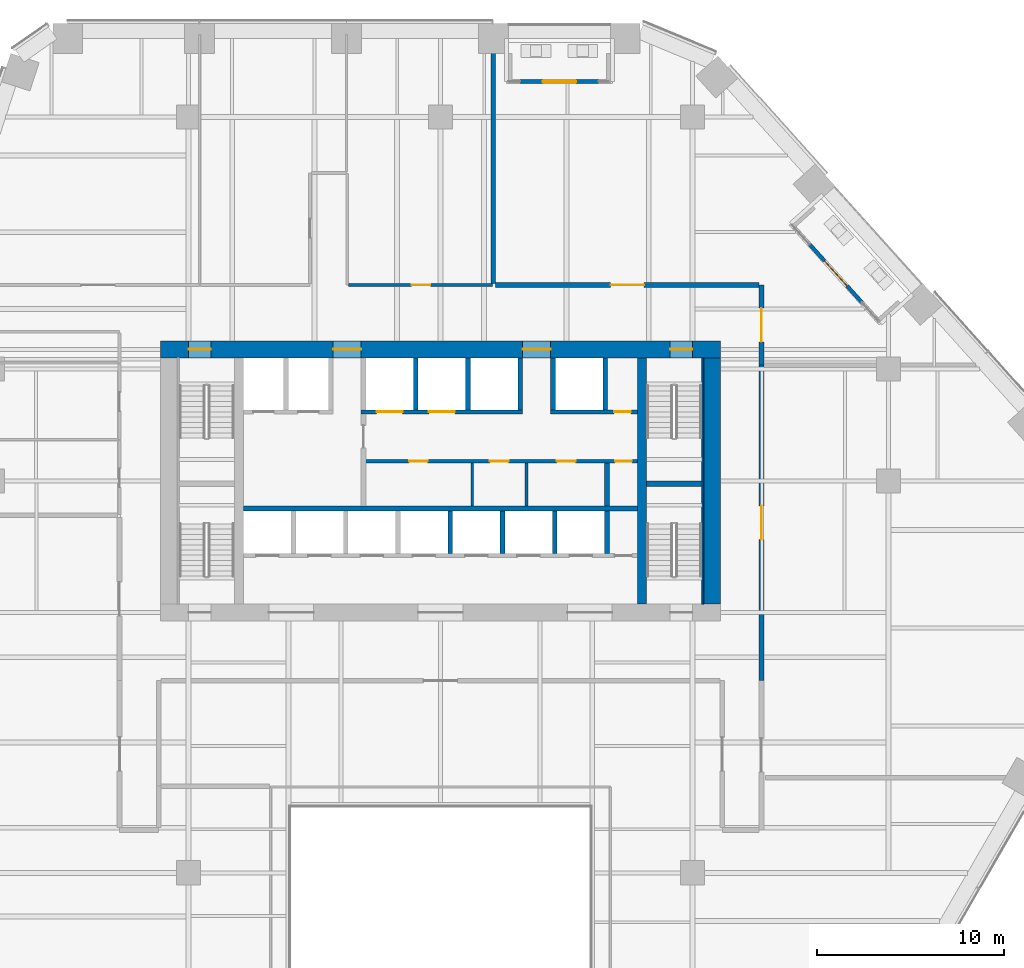
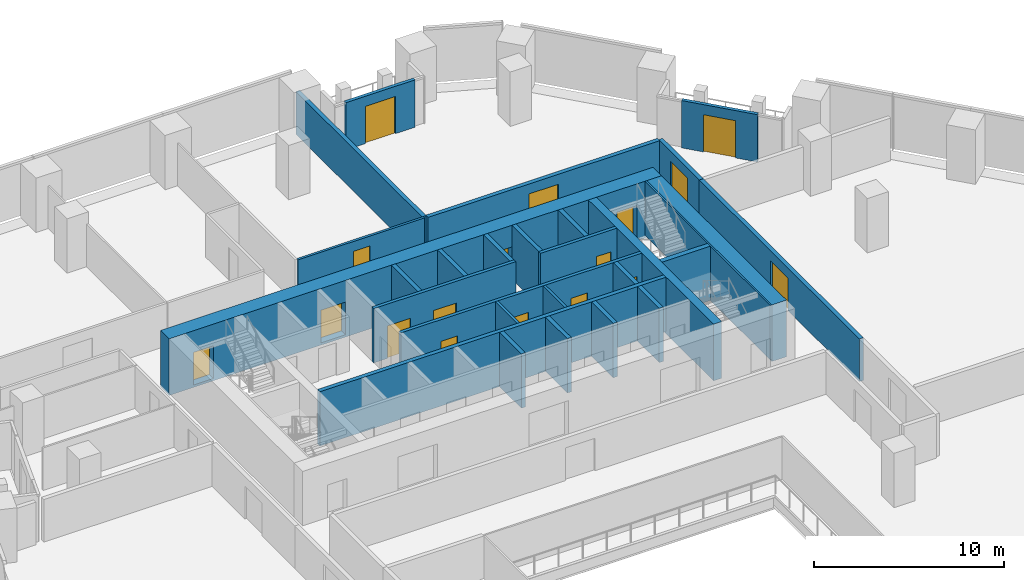
# One storey, part 22 of 28: 28 walls, 17 doors, 17 openings.
"""IFC4 building model written with IfcOpenShell, lengths in metres."""

from ifc_helpers import new_model, si_unit, direction, frame, frame_2d, origin, place, context, subcontext, project, spatial, rectangle, extrude, material, layer, layer_set, type_object, element, fill, save


model = new_model("IFC4")

# Units and contexts
model_context = context("Model", 3, precision=1e-05, world=origin(), true_north=direction((0.0, 1.0)))
body_context = subcontext(model_context, "Body", "Model", "MODEL_VIEW")
ifc_project = project(units=[si_unit("LENGTHUNIT", "METRE"), si_unit("AREAUNIT", "SQUARE_METRE"), si_unit("VOLUMEUNIT", "CUBIC_METRE"), si_unit("PLANEANGLEUNIT", "RADIAN"), si_unit("MASSUNIT", "GRAM", prefix="KILO")], contexts=[model_context])

# Site, building, storey
site_placement = place(None, origin())
site = spatial("IfcSite", under=ifc_project, at=site_placement, CompositionType="ELEMENT")
building_placement = place(site_placement, origin())
building = spatial("IfcBuilding", under=site, at=building_placement, Name="Isthmus Gate Tower", CompositionType="ELEMENT")
storey_placement = place(building_placement, frame((0.0, 0.0, 98.89990234375)))
storey = spatial("IfcBuildingStorey", under=building, at=storey_placement, Name="L23", CompositionType="ELEMENT", Elevation=98.89990234375)

# Wall, opening, door
ifc_material_1 = material(Name="Double-leaf acoustic stud wall, fire-rated", Category="gypsum")
ifc_layer_1 = layer(ifc_material_1, 0.25)
ifc_layer_set_1 = layer_set([ifc_layer_1], Name="ACOUSTIC WALL 250 60 MIN")
wall_type_1 = type_object("IfcWallType", Name="ACOUSTIC WALL 250 60 MIN", PredefinedType="PARTITIONING", material=ifc_layer_set_1)
wall_1_placement = place(storey_placement, frame((17.199951171875, 18.0, 0.0), z_axis=(0.0, 0.0, 1.0), x_axis=(0.0, -1.0, 0.0)))
wall_1 = element("IfcWall", 1, at=wall_1_placement, inside=storey, type_object=wall_type_1, Name="L23 Acoustic Wall 250 60 Min", PredefinedType="PARTITIONING", context=body_context, shape_type="SweptSolid", body=[
    extrude(rectangle(XDim=4.291015625, YDim=0.25, at=frame_2d((2.1455078125, 0.0))), origin(), (0.0, 0.0, 1.0), 2.7412109375),
])
opening_1_placement = place(wall_1_placement, frame((1.24560546875, 0.0, 0.0)))
opening_1 = element("IfcOpeningElement", 2, at=opening_1_placement, cuts=wall_1, Name="Opening DT-T2B-05", PredefinedType="OPENING", context=body_context, shape_type="SweptSolid", body=[
    extrude(rectangle(XDim=1.800048828125, YDim=2.10009765625, at=frame_2d((0.89990234375, 1.050048828125))), frame((0.0, 0.135009765625, 0.0), z_axis=(0.0, -1.0, 0.0), x_axis=(1.0, 0.0, 0.0)), (0.0, 0.0, 1.0), 0.27001953125),
])
ifc_material_2 = material(Name="Solid core timber door leaf, fire-rated", Category="wood")
door_type_1 = type_object("IfcDoorType", Name="FIRE DOOR ACOUSTIC ROOM 1800 X 2100 60 MIN", OperationType="DOUBLE_DOOR_DOUBLE_SWING", PredefinedType="DOOR", material=ifc_material_2)
door_1_placement = place(opening_1_placement, origin())
door_1 = element("IfcDoor", 3, at=door_1_placement, inside=storey, type_object=door_type_1, Name="L23 room door", OperationType="DOUBLE_DOOR_DOUBLE_SWING", OverallHeight=2.10009765625, OverallWidth=1.800048828125, PredefinedType="DOOR", context=body_context, shape_type="SweptSolid", body=[
    extrude(rectangle(XDim=1.800048828125, YDim=2.10009765625, at=frame_2d((0.89990234375, 1.050048828125))), frame((0.0, 0.02490234375, 0.0), z_axis=(0.0, -1.0, 0.0), x_axis=(1.0, 0.0, 0.0)), (0.0, 0.0, 1.0), 0.050048828125),
])
fill(opening_1, door_1)

wall_2_placement = place(storey_placement, frame((17.199951171875, 13.708984375, 0.0), z_axis=(0.0, 0.0, 1.0), x_axis=(0.0, -1.0, 0.0)))
wall_2 = element("IfcWall", 4, at=wall_2_placement, inside=storey, type_object=wall_type_1, Name="L23 Acoustic Wall 250 60 Min", PredefinedType="PARTITIONING", context=body_context, shape_type="SweptSolid", body=[
    extrude(rectangle(XDim=16.89697265625, YDim=0.25, at=frame_2d((8.448486328125, 0.0))), origin(), (0.0, 0.0, 1.0), 2.7412109375),
])
opening_2_placement = place(wall_2_placement, frame((7.548583984375, 0.0, 0.0)))
opening_2 = element("IfcOpeningElement", 5, at=opening_2_placement, cuts=wall_2, Name="Opening DT-T2B-08", PredefinedType="OPENING", context=body_context, shape_type="SweptSolid", body=[
    extrude(rectangle(XDim=1.800048828125, YDim=2.10009765625, at=frame_2d((0.89990234375, 1.050048828125))), frame((0.0, 0.135009765625, 0.0), z_axis=(0.0, -1.0, 0.0), x_axis=(1.0, 0.0, 0.0)), (0.0, 0.0, 1.0), 0.27001953125),
])
door_2_placement = place(opening_2_placement, origin())
door_2 = element("IfcDoor", 6, at=door_2_placement, inside=storey, type_object=door_type_1, Name="L23 room door", OperationType="DOUBLE_DOOR_DOUBLE_SWING", OverallHeight=2.10009765625, OverallWidth=1.800048828125, PredefinedType="DOOR", context=body_context, shape_type="SweptSolid", body=[
    extrude(rectangle(XDim=1.800048828125, YDim=2.10009765625, at=frame_2d((0.89990234375, 1.050048828125))), frame((0.0, 0.02490234375, 0.0), z_axis=(0.0, -1.0, 0.0), x_axis=(1.0, 0.0, 0.0)), (0.0, 0.0, 1.0), 0.050048828125),
])
fill(opening_2, door_2)

# Wall
wall_3_placement = place(storey_placement, frame((2.83203125, 18.074951171875, 0.0), z_axis=(0.0, 0.0, 1.0), x_axis=(0.0, 1.0, 0.0)))
element("IfcWall", 7, at=wall_3_placement, inside=storey, type_object=wall_type_1, Name="L23 Acoustic Wall 250 60 Min", PredefinedType="PARTITIONING", context=body_context, shape_type="SweptSolid", body=[
    extrude(rectangle(XDim=13.324951171875, YDim=0.25, at=frame_2d((6.66259765625, 0.0))), origin(), (0.0, 0.0, 1.0), 2.7412109375),
])

# Wall, opening, door
wall_4_placement = place(storey_placement, frame((2.95703125, 18.0, 0.0), z_axis=(0.0, 0.0, 1.0), x_axis=(1.0, 0.0, 0.0)))
wall_4 = element("IfcWall", 8, at=wall_4_placement, inside=storey, type_object=wall_type_1, Name="L23 Acoustic Wall 250 60 Min", PredefinedType="PARTITIONING", context=body_context, shape_type="SweptSolid", body=[
    extrude(rectangle(XDim=14.117919921875, YDim=0.25, at=frame_2d((7.05908203125, 0.0))), origin(), (0.0, 0.0, 1.0), 2.7412109375),
])
opening_3_placement = place(wall_4_placement, frame((6.158935546875, 0.0, 0.0)))
opening_3 = element("IfcOpeningElement", 9, at=opening_3_placement, cuts=wall_4, Name="Opening DT-T2B-04", PredefinedType="OPENING", context=body_context, shape_type="SweptSolid", body=[
    extrude(rectangle(XDim=1.800048828125, YDim=2.10009765625, at=frame_2d((0.89990234375, 1.050048828125))), frame((0.0, 0.135009765625, 0.0), z_axis=(0.0, -1.0, 0.0), x_axis=(1.0, 0.0, 0.0)), (0.0, 0.0, 1.0), 0.27001953125),
])
door_3_placement = place(opening_3_placement, origin())
door_3 = element("IfcDoor", 10, at=door_3_placement, inside=storey, type_object=door_type_1, Name="L23 room door", OperationType="DOUBLE_DOOR_DOUBLE_SWING", OverallHeight=2.10009765625, OverallWidth=1.800048828125, PredefinedType="DOOR", context=body_context, shape_type="SweptSolid", body=[
    extrude(rectangle(XDim=1.800048828125, YDim=2.10009765625, at=frame_2d((0.89990234375, 1.050048828125))), frame((0.0, 0.02490234375, 0.0), z_axis=(0.0, -1.0, 0.0), x_axis=(1.0, 0.0, 0.0)), (0.0, 0.0, 1.0), 0.050048828125),
])
fill(opening_3, door_3)

ifc_material_3 = material(Name="Gypsum board on steel studs, fire-rated", Category="steel")
ifc_layer_2 = layer(ifc_material_3, 0.14990234375)
ifc_layer_set_2 = layer_set([ifc_layer_2], Name="CORRIDOR WALL 150 60 MIN")
wall_type_2 = type_object("IfcWallType", Name="CORRIDOR WALL 150 60 MIN", PredefinedType="PARTITIONING", material=ifc_layer_set_2)
wall_5_placement = place(storey_placement, frame((-4.925048828125, 18.0, 0.0), z_axis=(0.0, 0.0, 1.0), x_axis=(1.0, 0.0, 0.0)))
wall_5 = element("IfcWall", 11, at=wall_5_placement, inside=storey, type_object=wall_type_2, Name="L23 Corridor Wall 150 60 Min", PredefinedType="PARTITIONING", context=body_context, shape_type="SweptSolid", body=[
    extrude(rectangle(XDim=7.70703125, YDim=0.14990234375, at=frame_2d((3.853515625, 0.0))), origin(), (0.0, 0.0, 1.0), 2.7412109375),
])
opening_4_placement = place(wall_5_placement, frame((3.37841796875, 0.0, 0.0)))
opening_4 = element("IfcOpeningElement", 12, at=opening_4_placement, cuts=wall_5, Name="Opening DT-T2B-03", PredefinedType="OPENING", context=body_context, shape_type="SweptSolid", body=[
    extrude(rectangle(XDim=1.0, YDim=2.10009765625, at=frame_2d((0.5, 1.050048828125))), frame((0.0, 0.0849609375, 0.0), z_axis=(0.0, -1.0, 0.0), x_axis=(1.0, 0.0, 0.0)), (0.0, 0.0, 1.0), 0.169921875),
])
ifc_material_4 = material(Name="Solid core timber door leaf, fire-rated", Category="wood")
door_type_2 = type_object("IfcDoorType", Name="FIRE DOOR ROOM 1000 X 2100 60 MIN", OperationType="SINGLE_SWING_LEFT", PredefinedType="DOOR", material=ifc_material_4)
door_4_placement = place(opening_4_placement, origin())
door_4 = element("IfcDoor", 13, at=door_4_placement, inside=storey, type_object=door_type_2, Name="L23 room door", OperationType="SINGLE_SWING_RIGHT", OverallHeight=2.10009765625, OverallWidth=1.0, PredefinedType="DOOR", context=body_context, shape_type="SweptSolid", body=[
    extrude(rectangle(XDim=1.0, YDim=2.10009765625, at=frame_2d((0.5, 1.050048828125))), frame((0.0, 0.02490234375, 0.0), z_axis=(0.0, -1.0, 0.0), x_axis=(1.0, 0.0, 0.0)), (0.0, 0.0, 1.0), 0.050048828125),
])
fill(opening_4, door_4)

ifc_material_5 = material(Name="Precast concrete C40/50", Category="concrete")
ifc_layer_3 = layer(ifc_material_5, 0.199951171875)
ifc_layer_set_3 = layer_set([ifc_layer_3], Name="LOGGIA WALL 200")
wall_type_3 = type_object("IfcWallType", Name="LOGGIA WALL 200", PredefinedType="SOLIDWALL", material=ifc_layer_set_3)
wall_6_placement = place(storey_placement, frame((8.467041015625, 28.89990234375, 0.0), z_axis=(0.0, 0.0, 1.0), x_axis=(-1.0, 0.0, 0.0)))
wall_6 = element("IfcWall", 14, at=wall_6_placement, inside=storey, type_object=wall_type_3, Name="LOGGIA BACK WALL", PredefinedType="SOLIDWALL", context=body_context, shape_type="SweptSolid", body=[
    extrude(rectangle(XDim=4.199951171875, YDim=0.199951171875, at=frame_2d((2.10009765625, 0.0))), origin(), (0.0, 0.0, 1.0), 3.04931640625),
])
opening_5_placement = place(wall_6_placement, frame((1.199951171875, 0.0, 0.0)))
opening_5 = element("IfcOpeningElement", 15, at=opening_5_placement, cuts=wall_6, Name="Opening DE23-01", PredefinedType="OPENING", context=body_context, shape_type="SweptSolid", body=[
    extrude(rectangle(XDim=1.800048828125, YDim=2.39990234375, at=frame_2d((0.89990234375, 1.199951171875))), frame((0.0, 0.10986328125, 0.0), z_axis=(0.0, -1.0, 0.0), x_axis=(1.0, 0.0, 0.0)), (0.0, 0.0, 1.0), 0.219970703125),
])
ifc_material_6 = material(Name="Aluminium, pale champagne anodised, laminated glass", Category="aluminium")
door_type_3 = type_object("IfcDoorType", Name="LOGGIA DOOR SLIDING 1800 X 2400", OperationType="DOUBLE_DOOR_SLIDING", PredefinedType="DOOR", material=ifc_material_6)
door_5_placement = place(opening_5_placement, origin())
door_5 = element("IfcDoor", 16, at=door_5_placement, inside=storey, type_object=door_type_3, Name="DOOR DE23-01", OperationType="SINGLE_SWING_LEFT", OverallHeight=2.39990234375, OverallWidth=1.800048828125, PredefinedType="DOOR", context=body_context, shape_type="SweptSolid", body=[
    extrude(rectangle(XDim=1.800048828125, YDim=2.39990234375, at=frame_2d((0.89990234375, 1.199951171875))), frame((0.0, 0.02490234375, 0.0), z_axis=(0.0, -1.0, 0.0), x_axis=(1.0, 0.0, 0.0)), (0.0, 0.0, 1.0), 0.050048828125),
])
fill(opening_5, door_5)

wall_7_placement = place(storey_placement, frame((22.587646484375, 17.059326171875, 0.0), z_axis=(0.0, 0.0, 1.0), x_axis=(-0.669138140895, 0.743138041282, 0.0)))
wall_7 = element("IfcWall", 17, at=wall_7_placement, inside=storey, type_object=wall_type_3, Name="LOGGIA BACK WALL", PredefinedType="SOLIDWALL", context=body_context, shape_type="SweptSolid", body=[
    extrude(rectangle(XDim=4.199951171875, YDim=0.199951171875, at=frame_2d((2.10009765625, 0.0))), origin(), (0.0, 0.0, 1.0), 3.050048828125),
])
opening_6_placement = place(wall_7_placement, frame((1.199951171875, 0.0, 0.0)))
opening_6 = element("IfcOpeningElement", 18, at=opening_6_placement, cuts=wall_7, Name="Opening DE23-06", PredefinedType="OPENING", context=body_context, shape_type="SweptSolid", body=[
    extrude(rectangle(XDim=1.800048828125, YDim=2.39990234375, at=frame_2d((0.89990234375, 1.199951171875))), frame((0.0, 0.10986328125, 0.0), z_axis=(0.0, -1.0, 0.0), x_axis=(1.0, 0.0, 0.0)), (0.0, 0.0, 1.0), 0.219970703125),
])
door_6_placement = place(opening_6_placement, origin())
door_6 = element("IfcDoor", 19, at=door_6_placement, inside=storey, type_object=door_type_3, Name="DOOR DE23-06", OperationType="SINGLE_SWING_LEFT", OverallHeight=2.39990234375, OverallWidth=1.800048828125, PredefinedType="DOOR", context=body_context, shape_type="SweptSolid", body=[
    extrude(rectangle(XDim=1.800048828125, YDim=2.39990234375, at=frame_2d((0.89990234375, 1.199951171875))), frame((0.0, 0.02490234375, 0.0), z_axis=(0.0, -1.0, 0.0), x_axis=(1.0, 0.0, 0.0)), (0.0, 0.0, 1.0), 0.050048828125),
])
fill(opening_6, door_6)

# Wall
ifc_material_7 = material(Name="Concrete f'c 70 MPa", Category="concrete")
ifc_layer_4 = layer(ifc_material_7, 0.5)
ifc_layer_set_4 = layer_set([ifc_layer_4], Name="RC CORE SPINE WALL 500 F'C 70")
wall_type_4 = type_object("IfcWallType", Name="RC CORE SPINE WALL 500 F'C 70", PredefinedType="SOLIDWALL", material=ifc_layer_set_4)
wall_8_placement = place(storey_placement, frame((10.800048828125, 0.89990234375, -0.14990234375), z_axis=(0.0, 0.0, 1.0), x_axis=(0.0, 1.0, 0.0)))
element("IfcWall", 20, at=wall_8_placement, inside=storey, type_object=wall_type_4, Name="str-corewall-L23-SPE", PredefinedType="SOLIDWALL", context=body_context, shape_type="SweptSolid", body=[
    extrude(rectangle(XDim=13.2001953125, YDim=0.5, at=frame_2d((6.60009765625, 0.0))), origin(), (0.0, 0.0, 1.0), 3.64990234375),
])

# Wall, openings, doors
ifc_material_8 = material(Name="Concrete f'c 70 MPa", Category="concrete")
ifc_layer_5 = layer(ifc_material_8, 0.89990234375)
ifc_layer_set_5 = layer_set([ifc_layer_5], Name="RC CORE WALL 900 F'C 70")
wall_type_5 = type_object("IfcWallType", Name="RC CORE WALL 900 F'C 70", PredefinedType="SOLIDWALL", material=ifc_layer_set_5)
wall_9_placement = place(storey_placement, frame((-15.0, 14.550048828125, -0.14990234375), z_axis=(0.0, 0.0, 1.0), x_axis=(1.0, 0.0, 0.0)))
wall_9 = element("IfcWall", 21, at=wall_9_placement, inside=storey, type_object=wall_type_5, Name="str-corewall-L23-N", PredefinedType="SOLIDWALL", context=body_context, shape_type="SweptSolid", body=[
    extrude(rectangle(XDim=30.0, YDim=0.89990234375, at=frame_2d((15.0, 0.0))), origin(), (0.0, 0.0, 1.0), 3.64990234375),
])
opening_7_placement = place(wall_9_placement, frame((9.25, 0.0, 0.14990234375)))
opening_7 = element("IfcOpeningElement", 22, at=opening_7_placement, cuts=wall_9, Name="Opening DC-A04-11", PredefinedType="OPENING", context=body_context, shape_type="SweptSolid", body=[
    extrude(rectangle(XDim=1.5, YDim=2.10009765625, at=frame_2d((0.75, 1.050048828125))), frame((0.0, 0.4599609375, 0.0), z_axis=(0.0, -1.0, 0.0), x_axis=(1.0, 0.0, 0.0)), (0.0, 0.0, 1.0), 0.919921875),
])
opening_8_placement = place(wall_9_placement, frame((19.39990234375, 0.0, 0.14990234375)))
opening_8 = element("IfcOpeningElement", 23, at=opening_8_placement, cuts=wall_9, Name="Opening DC-A04-12", PredefinedType="OPENING", context=body_context, shape_type="SweptSolid", body=[
    extrude(rectangle(XDim=1.5, YDim=2.10009765625, at=frame_2d((0.75, 1.050048828125))), frame((0.0, 0.4599609375, 0.0), z_axis=(0.0, -1.0, 0.0), x_axis=(1.0, 0.0, 0.0)), (0.0, 0.0, 1.0), 0.919921875),
])
opening_9_placement = place(wall_9_placement, frame((1.5, 0.0, 0.14990234375)))
opening_9 = element("IfcOpeningElement", 24, at=opening_9_placement, cuts=wall_9, Name="Opening DC-A04-13", PredefinedType="OPENING", context=body_context, shape_type="SweptSolid", body=[
    extrude(rectangle(XDim=1.199951171875, YDim=2.10009765625, at=frame_2d((0.60009765625, 1.050048828125))), frame((0.0, 0.4599609375, 0.0), z_axis=(0.0, -1.0, 0.0), x_axis=(1.0, 0.0, 0.0)), (0.0, 0.0, 1.0), 0.919921875),
])
opening_10_placement = place(wall_9_placement, frame((27.300048828125, 0.0, 0.14990234375)))
opening_10 = element("IfcOpeningElement", 25, at=opening_10_placement, cuts=wall_9, Name="Opening DC-A04-14", PredefinedType="OPENING", context=body_context, shape_type="SweptSolid", body=[
    extrude(rectangle(XDim=1.199951171875, YDim=2.10009765625, at=frame_2d((0.60009765625, 1.050048828125))), frame((0.0, 0.4599609375, 0.0), z_axis=(0.0, -1.0, 0.0), x_axis=(1.0, 0.0, 0.0)), (0.0, 0.0, 1.0), 0.919921875),
])
ifc_material_9 = material(Name="Steel door leaf, fire-rated", Category="steel")
door_type_4 = type_object("IfcDoorType", Name="LOBBY FIRE DOOR 1500 X 2100 60 MIN", OperationType="DOUBLE_DOOR_SINGLE_SWING", PredefinedType="DOOR", material=ifc_material_9)
door_7_placement = place(opening_8_placement, origin())
door_7 = element("IfcDoor", 26, at=door_7_placement, inside=storey, type_object=door_type_4, Name="Lobby Door PN-E", OperationType="DOUBLE_DOOR_SINGLE_SWING", OverallHeight=2.10009765625, OverallWidth=1.5, PredefinedType="DOOR", context=body_context, shape_type="SweptSolid", body=[
    extrude(rectangle(XDim=1.5, YDim=2.10009765625, at=frame_2d((0.75, 1.050048828125))), frame((0.0, 0.02490234375, 0.0), z_axis=(0.0, -1.0, 0.0), x_axis=(1.0, 0.0, 0.0)), (0.0, 0.0, 1.0), 0.050048828125),
])
fill(opening_8, door_7)
ifc_material_10 = material(Name="Steel door leaf, fire-rated", Category="steel")
door_type_5 = type_object("IfcDoorType", Name="LOBBY FIRE DOOR 1500 X 2100 90 MIN", OperationType="DOUBLE_DOOR_SINGLE_SWING", PredefinedType="DOOR", material=ifc_material_10)
door_8_placement = place(opening_7_placement, origin())
door_8 = element("IfcDoor", 27, at=door_8_placement, inside=storey, type_object=door_type_5, Name="Lobby Door PN-W", OperationType="DOUBLE_DOOR_SINGLE_SWING", OverallHeight=2.10009765625, OverallWidth=1.5, PredefinedType="DOOR", context=body_context, shape_type="SweptSolid", body=[
    extrude(rectangle(XDim=1.5, YDim=2.10009765625, at=frame_2d((0.75, 1.050048828125))), frame((0.0, 0.02490234375, 0.0), z_axis=(0.0, -1.0, 0.0), x_axis=(1.0, 0.0, 0.0)), (0.0, 0.0, 1.0), 0.050048828125),
])
fill(opening_7, door_8)
ifc_material_11 = material(Name="Steel door leaf, fire-rated", Category="steel")
door_type_6 = type_object("IfcDoorType", Name="STAIR FIRE DOOR 1200 X 2100 90 MIN", OperationType="SINGLE_SWING_LEFT", PredefinedType="DOOR", material=ifc_material_11)
door_9_placement = place(opening_9_placement, origin())
door_9 = element("IfcDoor", 28, at=door_9_placement, inside=storey, type_object=door_type_6, Name="Exit Stair 1 Door", OperationType="SINGLE_SWING_RIGHT", OverallHeight=2.10009765625, OverallWidth=1.199951171875, PredefinedType="DOOR", context=body_context, shape_type="SweptSolid", body=[
    extrude(rectangle(XDim=1.199951171875, YDim=2.10009765625, at=frame_2d((0.60009765625, 1.050048828125))), frame((0.0, 0.02490234375, 0.0), z_axis=(0.0, -1.0, 0.0), x_axis=(1.0, 0.0, 0.0)), (0.0, 0.0, 1.0), 0.050048828125),
])
fill(opening_9, door_9)
door_10_placement = place(opening_10_placement, origin())
door_10 = element("IfcDoor", 29, at=door_10_placement, inside=storey, type_object=door_type_6, Name="Exit Stair 2 Door", OperationType="SINGLE_SWING_LEFT", OverallHeight=2.10009765625, OverallWidth=1.199951171875, PredefinedType="DOOR", context=body_context, shape_type="SweptSolid", body=[
    extrude(rectangle(XDim=1.199951171875, YDim=2.10009765625, at=frame_2d((0.60009765625, 1.050048828125))), frame((0.0, 0.02490234375, 0.0), z_axis=(0.0, -1.0, 0.0), x_axis=(1.0, 0.0, 0.0)), (0.0, 0.0, 1.0), 0.050048828125),
])
fill(opening_10, door_10)

# Walls
wall_10_placement = place(storey_placement, frame((14.550048828125, 0.89990234375, -0.14990234375), z_axis=(0.0, 0.0, 1.0), x_axis=(0.0, 1.0, 0.0)))
element("IfcWall", 30, at=wall_10_placement, inside=storey, type_object=wall_type_5, Name="str-corewall-L23-E", PredefinedType="SOLIDWALL", context=body_context, shape_type="SweptSolid", body=[
    extrude(rectangle(XDim=13.2001953125, YDim=0.89990234375, at=frame_2d((6.60009765625, 0.0))), origin(), (0.0, 0.0, 1.0), 3.64990234375),
])
ifc_material_12 = material(Name="Gypsum board on steel studs, fire-rated", Category="steel")
ifc_layer_6 = layer(ifc_material_12, 0.14990234375)
ifc_layer_set_6 = layer_set([ifc_layer_6], Name="ROOM PARTITION 150 60 MIN")
wall_type_6 = type_object("IfcWallType", Name="ROOM PARTITION 150 60 MIN", PredefinedType="PARTITIONING", material=ifc_layer_set_6)
for number, where, z_axis, x_axis, name in (
    (31, (1.699951171875, 6.14990234375, 0.0), (0.0, 0.0, 1.0), (0.0, 1.0, 0.0), "L23 ROOM PARTITION 150 60 MIN"),
    (32, (4.60009765625, 6.14990234375, 0.0), (0.0, 0.0, 1.0), (0.0, 1.0, 0.0), "L23 ROOM PARTITION 150 60 MIN"),
):
    element("IfcWall", number, at=place(storey_placement, frame(where, z_axis=z_axis, x_axis=x_axis)), inside=storey, type_object=wall_type_6, Name=name, PredefinedType="PARTITIONING", context=body_context, shape_type="SweptSolid", body=[
        extrude(rectangle(XDim=2.300048828125, YDim=0.14990234375, at=frame_2d((1.14990234375, 0.0))), origin(), (0.0, 0.0, 1.0), 3.5),
    ])

# Wall, openings, doors
ifc_material_13 = material(Name="Fire-rated blockwork masonry, 15 MPa", Category="masonry")
ifc_layer_7 = layer(ifc_material_13, 0.199951171875)
ifc_layer_set_7 = layer_set([ifc_layer_7], Name="SHAFT FRONT WALL 200 120 MIN")
wall_type_7 = type_object("IfcWallType", Name="SHAFT FRONT WALL 200 120 MIN", PredefinedType="PARTITIONING", material=ifc_layer_set_7)
wall_11_placement = place(storey_placement, frame((-4.125, 8.550048828125, 0.0), z_axis=(0.0, 0.0, 1.0), x_axis=(1.0, 0.0, 0.0)))
wall_11 = element("IfcWall", 33, at=wall_11_placement, inside=storey, type_object=wall_type_7, Name="L23 SHAFT FRONT WALL 200 120 MIN", PredefinedType="PARTITIONING", context=body_context, shape_type="SweptSolid", body=[
    extrude(rectangle(XDim=14.675048828125, YDim=0.199951171875, at=frame_2d((7.33740234375, 0.0))), origin(), (0.0, 0.0, 1.0), 3.5),
])
opening_11_placement = place(wall_11_placement, frame((2.4375, 0.0, 0.0)))
opening_11 = element("IfcOpeningElement", 34, at=opening_11_placement, cuts=wall_11, Name="Opening DC-A04-03", PredefinedType="OPENING", context=body_context, shape_type="SweptSolid", body=[
    extrude(rectangle(XDim=1.0, YDim=2.10009765625, at=frame_2d((0.5, 1.050048828125))), frame((0.0, 0.10986328125, 0.0), z_axis=(0.0, -1.0, 0.0), x_axis=(1.0, 0.0, 0.0)), (0.0, 0.0, 1.0), 0.219970703125),
])
opening_12_placement = place(wall_11_placement, frame((6.77490234375, 0.0, 0.0)))
opening_12 = element("IfcOpeningElement", 35, at=opening_12_placement, cuts=wall_11, Name="Opening DC-A04-04", PredefinedType="OPENING", context=body_context, shape_type="SweptSolid", body=[
    extrude(rectangle(XDim=1.0, YDim=2.10009765625, at=frame_2d((0.5, 1.050048828125))), frame((0.0, 0.10986328125, 0.0), z_axis=(0.0, -1.0, 0.0), x_axis=(1.0, 0.0, 0.0)), (0.0, 0.0, 1.0), 0.219970703125),
])
opening_13_placement = place(wall_11_placement, frame((10.362548828125, 0.0, 0.0)))
opening_13 = element("IfcOpeningElement", 36, at=opening_13_placement, cuts=wall_11, Name="Opening DC-A04-05", PredefinedType="OPENING", context=body_context, shape_type="SweptSolid", body=[
    extrude(rectangle(XDim=1.0, YDim=2.10009765625, at=frame_2d((0.5, 1.050048828125))), frame((0.0, 0.10986328125, 0.0), z_axis=(0.0, -1.0, 0.0), x_axis=(1.0, 0.0, 0.0)), (0.0, 0.0, 1.0), 0.219970703125),
])
opening_14_placement = place(wall_11_placement, frame((13.47509765625, 0.0, 0.0)))
opening_14 = element("IfcOpeningElement", 37, at=opening_14_placement, cuts=wall_11, Name="Opening DC-A04-06", PredefinedType="OPENING", context=body_context, shape_type="SweptSolid", body=[
    extrude(rectangle(XDim=0.89990234375, YDim=2.10009765625, at=frame_2d((0.449951171875, 1.050048828125))), frame((0.0, 0.10986328125, 0.0), z_axis=(0.0, -1.0, 0.0), x_axis=(1.0, 0.0, 0.0)), (0.0, 0.0, 1.0), 0.219970703125),
])
ifc_material_14 = material(Name="Steel door leaf, fire-rated", Category="steel")
door_type_7 = type_object("IfcDoorType", Name="FIRE DOOR 1000 X 2100 60 MIN", OperationType="SINGLE_SWING_LEFT", PredefinedType="DOOR", material=ifc_material_14)
door_11_placement = place(opening_11_placement, origin())
door_11 = element("IfcDoor", 38, at=door_11_placement, inside=storey, type_object=door_type_7, Name="WC Men Door", OperationType="SINGLE_SWING_LEFT", OverallHeight=2.10009765625, OverallWidth=1.0, PredefinedType="DOOR", context=body_context, shape_type="SweptSolid", body=[
    extrude(rectangle(XDim=1.0, YDim=2.10009765625, at=frame_2d((0.5, 1.050048828125))), frame((0.0, 0.02490234375, 0.0), z_axis=(0.0, -1.0, 0.0), x_axis=(1.0, 0.0, 0.0)), (0.0, 0.0, 1.0), 0.050048828125),
])
fill(opening_11, door_11)
door_12_placement = place(opening_12_placement, origin())
door_12 = element("IfcDoor", 39, at=door_12_placement, inside=storey, type_object=door_type_7, Name="Accessible WC Door", OperationType="SINGLE_SWING_RIGHT", OverallHeight=2.10009765625, OverallWidth=1.0, PredefinedType="DOOR", context=body_context, shape_type="SweptSolid", body=[
    extrude(rectangle(XDim=1.0, YDim=2.10009765625, at=frame_2d((0.5, 1.050048828125))), frame((0.0, 0.02490234375, 0.0), z_axis=(0.0, -1.0, 0.0), x_axis=(1.0, 0.0, 0.0)), (0.0, 0.0, 1.0), 0.050048828125),
])
fill(opening_12, door_12)
door_13_placement = place(opening_13_placement, origin())
door_13 = element("IfcDoor", 40, at=door_13_placement, inside=storey, type_object=door_type_7, Name="WC Women Door", OperationType="SINGLE_SWING_LEFT", OverallHeight=2.10009765625, OverallWidth=1.0, PredefinedType="DOOR", context=body_context, shape_type="SweptSolid", body=[
    extrude(rectangle(XDim=1.0, YDim=2.10009765625, at=frame_2d((0.5, 1.050048828125))), frame((0.0, 0.02490234375, 0.0), z_axis=(0.0, -1.0, 0.0), x_axis=(1.0, 0.0, 0.0)), (0.0, 0.0, 1.0), 0.050048828125),
])
fill(opening_13, door_13)
ifc_material_15 = material(Name="Steel door leaf, fire-rated", Category="steel")
door_type_8 = type_object("IfcDoorType", Name="RISER FIRE DOOR 900 X 2100 90 MIN", OperationType="SINGLE_SWING_LEFT", PredefinedType="DOOR", material=ifc_material_15)
door_14_placement = place(opening_14_placement, origin())
door_14 = element("IfcDoor", 41, at=door_14_placement, inside=storey, type_object=door_type_8, Name="Riser Door", OperationType="SINGLE_SWING_RIGHT", OverallHeight=2.10009765625, OverallWidth=0.89990234375, PredefinedType="DOOR", context=body_context, shape_type="SweptSolid", body=[
    extrude(rectangle(XDim=0.89990234375, YDim=2.10009765625, at=frame_2d((0.449951171875, 1.050048828125))), frame((0.0, 0.02490234375, 0.0), z_axis=(0.0, -1.0, 0.0), x_axis=(1.0, 0.0, 0.0)), (0.0, 0.0, 1.0), 0.050048828125),
])
fill(opening_14, door_14)

wall_12_placement = place(storey_placement, frame((-4.25, 11.199951171875, 0.0), z_axis=(0.0, 0.0, 1.0), x_axis=(1.0, 0.0, 0.0)))
wall_12 = element("IfcWall", 42, at=wall_12_placement, inside=storey, type_object=wall_type_7, Name="L23 SHAFT FRONT WALL 200 120 MIN", PredefinedType="PARTITIONING", context=body_context, shape_type="SweptSolid", body=[
    extrude(rectangle(XDim=8.64990234375, YDim=0.199951171875, at=frame_2d((4.324951171875, 0.0))), origin(), (0.0, 0.0, 1.0), 3.5),
])
opening_15_placement = place(wall_12_placement, frame((0.824951171875, 0.0, 0.0)))
opening_15 = element("IfcOpeningElement", 43, at=opening_15_placement, cuts=wall_12, Name="Opening LD-LV1", PredefinedType="OPENING", context=body_context, shape_type="SweptSolid", body=[
    extrude(rectangle(XDim=1.39990234375, YDim=2.10009765625, at=frame_2d((0.699951171875, 1.050048828125))), frame((0.0, 0.10986328125, 0.0), z_axis=(0.0, -1.0, 0.0), x_axis=(1.0, 0.0, 0.0)), (0.0, 0.0, 1.0), 0.219970703125),
])
opening_16_placement = place(wall_12_placement, frame((3.625, 0.0, 0.0)))
opening_16 = element("IfcOpeningElement", 44, at=opening_16_placement, cuts=wall_12, Name="Opening LD-LV2", PredefinedType="OPENING", context=body_context, shape_type="SweptSolid", body=[
    extrude(rectangle(XDim=1.39990234375, YDim=2.10009765625, at=frame_2d((0.699951171875, 1.050048828125))), frame((0.0, 0.10986328125, 0.0), z_axis=(0.0, -1.0, 0.0), x_axis=(1.0, 0.0, 0.0)), (0.0, 0.0, 1.0), 0.219970703125),
])
ifc_material_16 = material(Name="Stainless steel sliding leaf", Category="steel")
door_type_9 = type_object("IfcDoorType", Name="LIFT LANDING FIRE DOOR 1400 X 2100 90 MIN", OperationType="DOUBLE_DOOR_SLIDING", PredefinedType="DOOR", material=ifc_material_16)
door_15_placement = place(opening_15_placement, origin())
door_15 = element("IfcDoor", 45, at=door_15_placement, inside=storey, type_object=door_type_9, Name="Lift Landing Door LV1", OperationType="DOUBLE_DOOR_SLIDING", OverallHeight=2.10009765625, OverallWidth=1.39990234375, PredefinedType="DOOR", context=body_context, shape_type="SweptSolid", body=[
    extrude(rectangle(XDim=1.39990234375, YDim=2.10009765625, at=frame_2d((0.699951171875, 1.050048828125))), frame((0.0, 0.02490234375, 0.0), z_axis=(0.0, -1.0, 0.0), x_axis=(1.0, 0.0, 0.0)), (0.0, 0.0, 1.0), 0.050048828125),
])
fill(opening_15, door_15)
door_16_placement = place(opening_16_placement, origin())
door_16 = element("IfcDoor", 46, at=door_16_placement, inside=storey, type_object=door_type_9, Name="Lift Landing Door LV2", OperationType="DOUBLE_DOOR_SLIDING", OverallHeight=2.10009765625, OverallWidth=1.39990234375, PredefinedType="DOOR", context=body_context, shape_type="SweptSolid", body=[
    extrude(rectangle(XDim=1.39990234375, YDim=2.10009765625, at=frame_2d((0.699951171875, 1.050048828125))), frame((0.0, 0.02490234375, 0.0), z_axis=(0.0, -1.0, 0.0), x_axis=(1.0, 0.0, 0.0)), (0.0, 0.0, 1.0), 0.050048828125),
])
fill(opening_16, door_16)

# Wall, opening, door
wall_13_placement = place(storey_placement, frame((5.89990234375, 11.199951171875, 0.0), z_axis=(0.0, 0.0, 1.0), x_axis=(1.0, 0.0, 0.0)))
wall_13 = element("IfcWall", 47, at=wall_13_placement, inside=storey, type_object=wall_type_7, Name="L23 SHAFT FRONT WALL 200 120 MIN", PredefinedType="PARTITIONING", context=body_context, shape_type="SweptSolid", body=[
    extrude(rectangle(XDim=4.650146484375, YDim=0.199951171875, at=frame_2d((2.3251953125, 0.0))), origin(), (0.0, 0.0, 1.0), 3.5),
])
opening_17_placement = place(wall_13_placement, frame((3.39990234375, 0.0, 0.0)))
opening_17 = element("IfcOpeningElement", 48, at=opening_17_placement, cuts=wall_13, Name="Opening DC-A04-07", PredefinedType="OPENING", context=body_context, shape_type="SweptSolid", body=[
    extrude(rectangle(XDim=0.89990234375, YDim=2.10009765625, at=frame_2d((0.449951171875, 1.050048828125))), frame((0.0, 0.10986328125, 0.0), z_axis=(0.0, -1.0, 0.0), x_axis=(1.0, 0.0, 0.0)), (0.0, 0.0, 1.0), 0.219970703125),
])
door_17_placement = place(opening_17_placement, origin())
door_17 = element("IfcDoor", 49, at=door_17_placement, inside=storey, type_object=door_type_8, Name="Riser Door", OperationType="SINGLE_SWING_LEFT", OverallHeight=2.10009765625, OverallWidth=0.89990234375, PredefinedType="DOOR", context=body_context, shape_type="SweptSolid", body=[
    extrude(rectangle(XDim=0.89990234375, YDim=2.10009765625, at=frame_2d((0.449951171875, 1.050048828125))), frame((0.0, 0.02490234375, 0.0), z_axis=(0.0, -1.0, 0.0), x_axis=(1.0, 0.0, 0.0)), (0.0, 0.0, 1.0), 0.050048828125),
])
fill(opening_17, door_17)

# Walls
ifc_material_17 = material(Name="Fire-rated blockwork masonry, 15 MPa", Category="masonry")
ifc_layer_8 = layer(ifc_material_17, 0.25)
ifc_layer_set_8 = layer_set([ifc_layer_8], Name="SHAFT WALL 250 120 MIN")
wall_type_8 = type_object("IfcWallType", Name="SHAFT WALL 250 120 MIN", PredefinedType="PARTITIONING", material=ifc_layer_set_8)
wall_14_placement = place(storey_placement, frame((-10.550048828125, 6.02490234375, 0.0), z_axis=(0.0, 0.0, 1.0), x_axis=(1.0, 0.0, 0.0)))
element("IfcWall", 50, at=wall_14_placement, inside=storey, type_object=wall_type_8, Name="L23 SHAFT WALL 250 120 MIN", PredefinedType="PARTITIONING", context=body_context, shape_type="SweptSolid", body=[
    extrude(rectangle(XDim=21.10009765625, YDim=0.25, at=frame_2d((10.550048828125, 0.0))), origin(), (0.0, 0.0, 1.0), 3.5),
])
for number, where, z_axis, x_axis, name in (
    (51, (0.52490234375, 3.60009765625, 0.0), (0.0, 0.0, 1.0), (0.0, 1.0, 0.0), "L23 SHAFT WALL 250 120 MIN"),
    (52, (3.324951171875, 3.60009765625, 0.0), (0.0, 0.0, 1.0), (0.0, 1.0, 0.0), "L23 SHAFT WALL 250 120 MIN"),
    (53, (6.125, 3.60009765625, 0.0), (0.0, 0.0, 1.0), (0.0, 1.0, 0.0), "L23 SHAFT WALL 250 120 MIN"),
    (54, (8.925048828125, 3.60009765625, 0.0), (0.0, 0.0, 1.0), (0.0, 1.0, 0.0), "L23 SHAFT WALL 250 120 MIN"),
):
    element("IfcWall", number, at=place(storey_placement, frame(where, z_axis=z_axis, x_axis=x_axis)), inside=storey, type_object=wall_type_8, Name=name, PredefinedType="PARTITIONING", context=body_context, shape_type="SweptSolid", body=[
        extrude(rectangle(XDim=2.2998046875, YDim=0.25, at=frame_2d((1.14990234375, 0.0))), origin(), (0.0, 0.0, 1.0), 3.5),
    ])
wall_15_placement = place(storey_placement, frame((8.925048828125, 6.14990234375, 0.0), z_axis=(0.0, 0.0, 1.0), x_axis=(0.0, 1.0, 0.0)))
element("IfcWall", 55, at=wall_15_placement, inside=storey, type_object=wall_type_8, Name="L23 SHAFT WALL 250 120 MIN", PredefinedType="PARTITIONING", context=body_context, shape_type="SweptSolid", body=[
    extrude(rectangle(XDim=2.300048828125, YDim=0.25, at=frame_2d((1.14990234375, 0.0))), origin(), (0.0, 0.0, 1.0), 3.5),
])
for number, where, z_axis, x_axis, name in (
    (56, (-1.324951171875, 11.300048828125, 0.0), (0.0, 0.0, 1.0), (0.0, 1.0, 0.0), "L23 SHAFT WALL 250 120 MIN"),
    (57, (1.47509765625, 11.300048828125, 0.0), (0.0, 0.0, 1.0), (0.0, 1.0, 0.0), "L23 SHAFT WALL 250 120 MIN"),
    (58, (4.27490234375, 11.300048828125, 0.0), (0.0, 0.0, 1.0), (0.0, 1.0, 0.0), "L23 SHAFT WALL 250 120 MIN"),
    (59, (6.02490234375, 11.300048828125, 0.0), (0.0, 0.0, 1.0), (0.0, 1.0, 0.0), "L23 SHAFT WALL 250 120 MIN"),
    (60, (8.824951171875, 11.300048828125, 0.0), (0.0, 0.0, 1.0), (0.0, 1.0, 0.0), "L23 SHAFT WALL 250 120 MIN"),
):
    element("IfcWall", number, at=place(storey_placement, frame(where, z_axis=z_axis, x_axis=x_axis)), inside=storey, type_object=wall_type_8, Name=name, PredefinedType="PARTITIONING", context=body_context, shape_type="SweptSolid", body=[
        extrude(rectangle(XDim=2.800048828125, YDim=0.25, at=frame_2d((1.39990234375, 0.0))), origin(), (0.0, 0.0, 1.0), 3.5),
    ])
ifc_material_18 = material(Name="Concrete f'c 40 MPa", Category="concrete")
ifc_layer_9 = layer(ifc_material_18, 0.10009765625)
ifc_layer_set_9 = layer_set([ifc_layer_9], Name="STAIR ENCLOSURE WALL 100 180 MIN")
wall_type_9 = type_object("IfcWallType", Name="STAIR ENCLOSURE WALL 100 180 MIN", PredefinedType="SOLIDWALL", material=ifc_layer_set_9)
wall_16_placement = place(storey_placement, frame((14.050048828125, 0.89990234375, 0.0), z_axis=(0.0, 0.0, 1.0), x_axis=(0.0, 1.0, 0.0)))
element("IfcWall", 61, at=wall_16_placement, inside=storey, type_object=wall_type_9, Name="L23 STAIR ENCLOSURE WALL 100 180 MIN", PredefinedType="SOLIDWALL", context=body_context, shape_type="SweptSolid", body=[
    extrude(rectangle(XDim=13.2001953125, YDim=0.10009765625, at=frame_2d((6.60009765625, 0.0))), origin(), (0.0, 0.0, 1.0), 3.5),
])
ifc_material_19 = material(Name="Concrete f'c 40 MPa", Category="concrete")
ifc_layer_10 = layer(ifc_material_19, 0.300048828125)
ifc_layer_set_10 = layer_set([ifc_layer_10], Name="STAIR ENCLOSURE WALL 300 180 MIN")
wall_type_10 = type_object("IfcWallType", Name="STAIR ENCLOSURE WALL 300 180 MIN", PredefinedType="SOLIDWALL", material=ifc_layer_set_10)
wall_17_placement = place(storey_placement, frame((11.050048828125, 7.35009765625, 0.0), z_axis=(0.0, 0.0, 1.0), x_axis=(1.0, 0.0, 0.0)))
element("IfcWall", 62, at=wall_17_placement, inside=storey, type_object=wall_type_10, Name="L23 STAIR ENCLOSURE WALL 300 180 MIN", PredefinedType="SOLIDWALL", context=body_context, shape_type="SweptSolid", body=[
    extrude(rectangle(XDim=2.949951171875, YDim=0.300048828125, at=frame_2d((1.47509765625, 0.0))), origin(), (0.0, 0.0, 1.0), 3.5),
])

save(model, "model.ifc")
